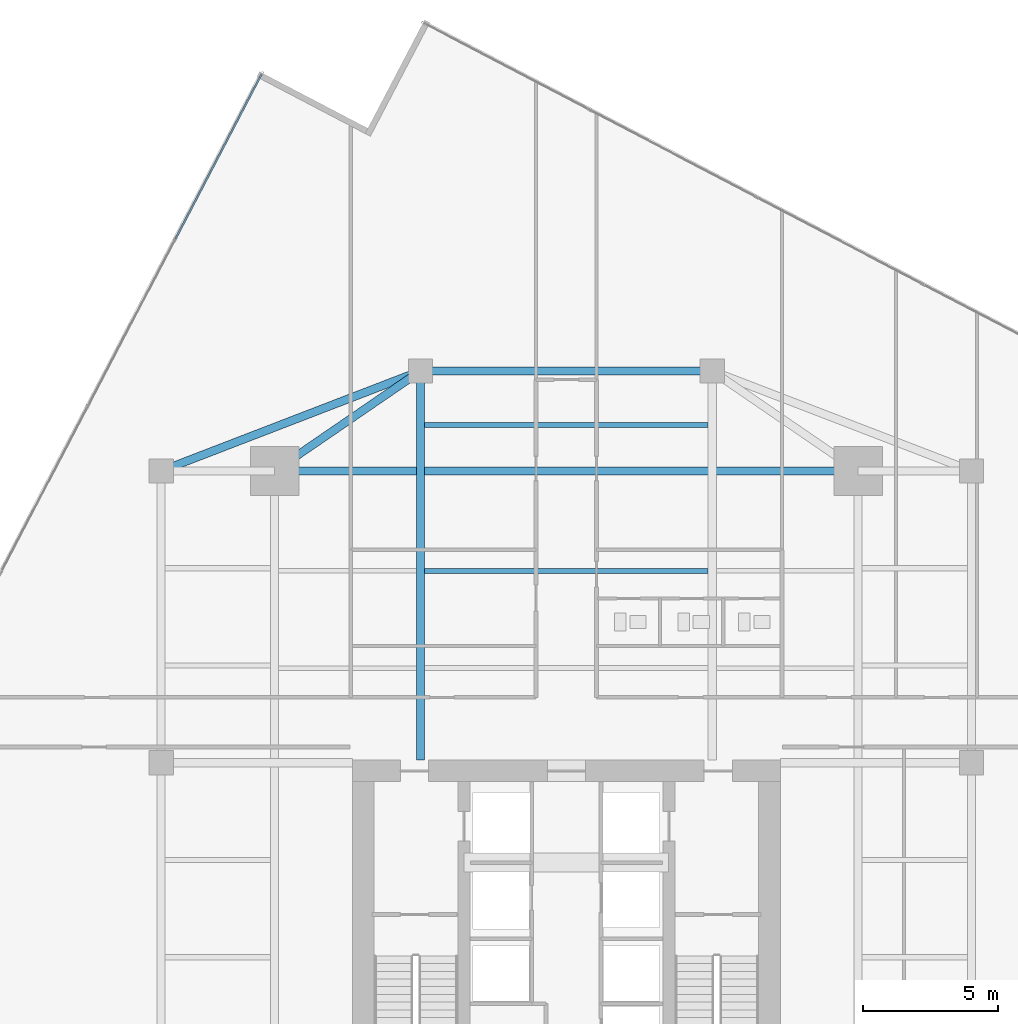
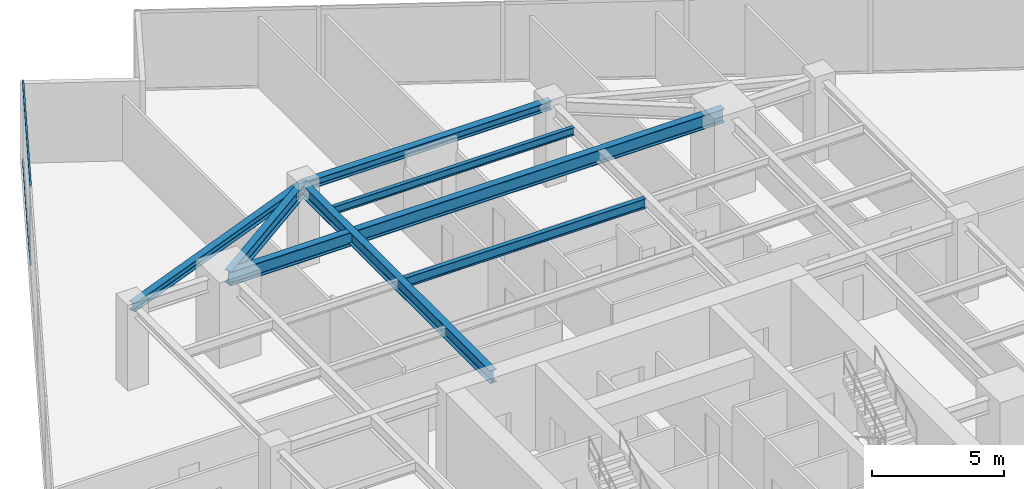
# One storey, part 15 of 27: 7 beams, 2 members, 1 element without a shape of its own.
"""IFC4 building model written with IfcOpenShell, lengths in metres."""

import ifcopenshell
import ifcopenshell.guid

model = None  # the IFC model being written
_history = None  # IfcOwnerHistory: only IFC2X3 demands one
_inside = {}  # id of a spatial element -> (the spatial element, [elements in it])
_under = {}  # id of a project, library or spatial element -> (it, [spatial elements below it])
_declared = {}  # id of a project -> (the project, [libraries it declares])
_typed = {}  # id of a type object -> (the type object, [elements of that type])
_made_of = {}  # id of a material, layer set ... -> (it, [elements and type objects made of it])


def new_model(schema):
    """Start an empty IFC model of exactly this schema.

    Asked for "IFC4X3", IfcOpenShell would pick the latest addendum, in which some entities
    have other attributes; the version numbers below select the first issue.
    IFC2X3 requires an IfcOwnerHistory on every rooted entity: one is made here for all.
    """
    global model, _history
    if schema == "IFC4X3":
        model = ifcopenshell.file(schema_version=(4, 3, 0, 0))
    else:
        model = ifcopenshell.file(schema=schema)
    _inside.clear()
    _under.clear()
    _declared.clear()
    _typed.clear()
    _made_of.clear()
    _history = None
    if model.schema == "IFC2X3":
        org = make("IfcOrganization", Name="unknown")
        user = make(
            "IfcPersonAndOrganization",
            ThePerson=make("IfcPerson", FamilyName="unknown"),
            TheOrganization=org,
        )
        app = make(
            "IfcApplication",
            ApplicationDeveloper=org,
            Version="unknown",
            ApplicationFullName="unknown",
            ApplicationIdentifier="unknown",
        )
        _history = make(
            "IfcOwnerHistory",
            OwningUser=user,
            OwningApplication=app,
            ChangeAction="ADDED",
            CreationDate=0,
        )
    return model


def make(cls, **values):
    """One entity of the class cls with the attributes given. An attribute that is None is left unset."""
    return model.create_entity(
        cls, **{name: value for name, value in values.items() if value is not None}
    )


def rooted(cls, **values):
    """An entity with a GlobalId (a new one), such as an element, a storey or a relation."""
    return make(cls, GlobalId=ifcopenshell.guid.new(), OwnerHistory=_history, **values)


def si_unit(unit_type, name, prefix=None):
    """IfcSIUnit, for example si_unit("LENGTHUNIT", "METRE", prefix="MILLI")."""
    return make("IfcSIUnit", UnitType=unit_type, Prefix=prefix, Name=name)


def assignment(units):
    """IfcUnitAssignment: the units of a project."""
    return None if units is None else make("IfcUnitAssignment", Units=units)


def point(xyz):
    """IfcCartesianPoint."""
    return None if xyz is None else make("IfcCartesianPoint", Coordinates=xyz)


def direction(xyz):
    """IfcDirection."""
    return None if xyz is None else make("IfcDirection", DirectionRatios=xyz)


def frame(location, z_axis=None, x_axis=None):
    """IfcAxis2Placement3D, a coordinate frame: its origin and axes. An axis left out is left unset."""
    return make(
        "IfcAxis2Placement3D",
        Location=point(location),
        Axis=direction(z_axis),
        RefDirection=direction(x_axis),
    )


def frame_2d(location, x_axis=None):
    """IfcAxis2Placement2D, a coordinate frame in the plane: its origin and x axis."""
    return make(
        "IfcAxis2Placement2D", Location=point(location), RefDirection=direction(x_axis)
    )


def origin():
    """The frame at (0, 0, 0) with its axes left unset."""
    return frame((0.0, 0.0, 0.0))


def origin_2d():
    """The frame at (0, 0) in the plane with its x axis left unset."""
    return frame_2d((0.0, 0.0))


def place(relative_to, where):
    """IfcLocalPlacement: puts the frame where relative to a parent placement (None: the world)."""
    return make(
        "IfcLocalPlacement", PlacementRelTo=relative_to, RelativePlacement=where
    )


def context(
    kind, dimensions, precision=None, world=None, true_north=None, identifier=None
):
    """IfcGeometricRepresentationContext, for example the 3D "Model" context."""
    return make(
        "IfcGeometricRepresentationContext",
        ContextIdentifier=identifier,
        ContextType=kind,
        CoordinateSpaceDimension=dimensions,
        Precision=precision,
        WorldCoordinateSystem=world,
        TrueNorth=true_north,
    )


def subcontext(parent, identifier, kind, view, scale=None):
    """IfcGeometricRepresentationSubContext, for example "Body" below "Model"."""
    return make(
        "IfcGeometricRepresentationSubContext",
        ContextIdentifier=identifier,
        ContextType=kind,
        ParentContext=parent,
        TargetScale=scale,
        TargetView=view,
    )


def project(units=None, contexts=None):
    """IfcProject with its units and contexts."""
    return rooted(
        "IfcProject",
        Name="project",
        RepresentationContexts=contexts,
        UnitsInContext=assignment(units),
    )


def spatial(cls, under=None, at=None, **own):
    """A site, building, storey or space (cls), placed at a placement, below another one or the project."""
    s = rooted(cls, ObjectPlacement=at, **own)
    if under is not None:
        _under.setdefault(under.id(), (under, []))[1].append(s)
    return s


def profile(cls, at=None, kind="AREA", **sizes):
    """A parametric profile (cls). Its sizes go by their IFC names, for example OverallWidth=200.0."""
    return make(cls, ProfileType=kind, Position=at, **sizes)


def hollow_rectangle(**sizes):
    """IfcRectangleHollowProfileDef."""
    return profile("IfcRectangleHollowProfileDef", **sizes)


def i_section(**sizes):
    """IfcIShapeProfileDef."""
    return profile("IfcIShapeProfileDef", **sizes)


def extrude(swept, where, along, depth):
    """IfcExtrudedAreaSolid: the profile swept, set in the frame where, extruded along a direction by depth."""
    return make(
        "IfcExtrudedAreaSolid",
        SweptArea=swept,
        Position=where,
        ExtrudedDirection=direction(along),
        Depth=depth,
    )


def shape(context_of_items, identifier, shape_type, items):
    """IfcShapeRepresentation: the items that make up one representation, for example the "Body"."""
    return make(
        "IfcShapeRepresentation",
        ContextOfItems=context_of_items,
        RepresentationIdentifier=identifier,
        RepresentationType=shape_type,
        Items=items,
    )


def source(mapping_origin, context_of_items, identifier, shape_type, items):
    """IfcRepresentationMap: a shape defined once, which mapped items show again and again."""
    return make(
        "IfcRepresentationMap",
        MappingOrigin=mapping_origin,
        MappedRepresentation=shape(context_of_items, identifier, shape_type, items),
    )


def transform(
    local_origin,
    x_axis=None,
    y_axis=None,
    z_axis=None,
    scale=None,
    scale2=None,
    scale3=None,
    uniform=True,
):
    """IfcCartesianTransformationOperator3D, or its non-uniform kind. x_axis, y_axis, z_axis: its Axis1, 2, 3."""
    if uniform:
        return make(
            "IfcCartesianTransformationOperator3D",
            Axis1=direction(x_axis),
            Axis2=direction(y_axis),
            LocalOrigin=point(local_origin),
            Scale=scale,
            Axis3=direction(z_axis),
        )
    return make(
        "IfcCartesianTransformationOperator3DnonUniform",
        Axis1=direction(x_axis),
        Axis2=direction(y_axis),
        LocalOrigin=point(local_origin),
        Scale=scale,
        Axis3=direction(z_axis),
        Scale2=scale2,
        Scale3=scale3,
    )


def mapped(mapping_source, mapping_target):
    """IfcMappedItem: shows the shape of a source again, moved by a transform."""
    return make(
        "IfcMappedItem", MappingSource=mapping_source, MappingTarget=mapping_target
    )


def material(Name=None, Category=None):
    """IfcMaterial."""
    return make("IfcMaterial", Name=Name, Category=Category)


def material_profile(
    of_material, cross_section, Name=None, Category=None, Priority=None
):
    """IfcMaterialProfile: a cross section and its material."""
    return make(
        "IfcMaterialProfile",
        Name=Name,
        Material=of_material,
        Profile=cross_section,
        Priority=Priority,
        Category=Category,
    )


def profile_set(profiles, Name=None, composite=None):
    """IfcMaterialProfileSet."""
    return make(
        "IfcMaterialProfileSet",
        Name=Name,
        MaterialProfiles=profiles,
        CompositeProfile=composite,
    )


def made_of(thing, what):
    """Note that an element or type object is made of a material, layer set ...; save() writes the relation."""
    if what is not None:
        _made_of.setdefault(what.id(), (what, []))[1].append(thing)
    return thing


def type_object(cls, material=None, **own):
    """A type object (cls), such as IfcWallType, which elements share."""
    return made_of(rooted(cls, **own), material)


def type_shapes(of_type, sources):
    """Give a type object the sources (RepresentationMaps) that its elements show as mapped items."""
    of_type.RepresentationMaps = sources


def element(
    cls,
    number,
    at=None,
    inside=None,
    cuts=None,
    type_object=None,
    material=None,
    context=None,
    identifier="Body",
    shape_type=None,
    held_by="IfcProductDefinitionShape",
    body=None,
    shapes=None,
    **own,
):
    """One element of the class cls, such as IfcWall. Its Tag is "e" and its number.

    at: its placement. inside: the storey or other place that contains it. cuts: it is an
    opening in that element (IfcRelVoidsElement). A single representation is given by context,
    identifier, shape_type and body (its items); several are given by shapes. held_by: the class
    of the entity that holds the representations. save() writes the other relations.
    """
    e = rooted(cls, Tag="e%d" % number, ObjectPlacement=at, **own)
    if body is not None:
        shapes = [shape(context, identifier, shape_type, body)]
    if shapes is not None:
        e.Representation = make(held_by, Representations=shapes)
    if inside is not None:
        _inside.setdefault(inside.id(), (inside, []))[1].append(e)
    if cuts is not None:
        rooted(
            "IfcRelVoidsElement", RelatingBuildingElement=cuts, RelatedOpeningElement=e
        )
    if type_object is not None:
        _typed.setdefault(type_object.id(), (type_object, []))[1].append(e)
    return made_of(e, material)


def aggregate(whole, parts):
    """IfcRelAggregates: a whole, such as a stair, and the parts it consists of."""
    return rooted("IfcRelAggregates", RelatingObject=whole, RelatedObjects=parts)


def save(model, path):
    """Write the relations noted so far, then the file.

    IfcRelAggregates (storeys below a building ...), IfcRelContainedInSpatialStructure (elements
    in a storey), IfcRelDefinesByType, IfcRelAssociatesMaterial and IfcRelDeclares: one each for
    every whole, place, type object, material and project.
    """
    for whole, parts in _under.values():
        aggregate(whole, parts)
    for where, things in _inside.values():
        rooted(
            "IfcRelContainedInSpatialStructure",
            RelatedElements=things,
            RelatingStructure=where,
        )
    for kind, things in _typed.values():
        rooted("IfcRelDefinesByType", RelatedObjects=things, RelatingType=kind)
    for what, things in _made_of.values():
        rooted("IfcRelAssociatesMaterial", RelatedObjects=things, RelatingMaterial=what)
    for by, libraries in _declared.values():
        rooted("IfcRelDeclares", RelatingContext=by, RelatedDefinitions=libraries)
    model.write(path)


model = new_model("IFC4")

# Units and contexts
model_context = context("Model", 3, precision=1e-05, world=origin(), true_north=direction((0.0, 1.0)))
body_context = subcontext(model_context, "Body", "Model", "MODEL_VIEW")
ifc_project = project(units=[si_unit("LENGTHUNIT", "METRE"), si_unit("AREAUNIT", "SQUARE_METRE"), si_unit("VOLUMEUNIT", "CUBIC_METRE"), si_unit("PLANEANGLEUNIT", "RADIAN"), si_unit("MASSUNIT", "GRAM", prefix="KILO")], contexts=[model_context])

# Site, building, storey
site_placement = place(None, origin())
site = spatial("IfcSite", under=ifc_project, at=site_placement, CompositionType="ELEMENT")
building_placement = place(site_placement, origin())
building = spatial("IfcBuilding", under=site, at=building_placement, Name="Krantzveldt Concourse Tower", CompositionType="ELEMENT")
storey_placement = place(building_placement, frame((0.0, 0.0, 154.10009765625)))
storey = spatial("IfcBuildingStorey", under=building, at=storey_placement, Name="L37", CompositionType="ELEMENT", Elevation=154.10009765625)

# Beams
ifc_material_1 = material(Name="Steel S355JR", Category="steel")
ifc_material_profile_1 = material_profile(ifc_material_1, i_section(OverallWidth=0.300048828125, OverallDepth=0.639892578125, WebThickness=0.013427734375, FlangeThickness=0.02587890625, FilletRadius=0.027099609375, at=origin_2d()), Name="Steel S355JR", Category="steel")
ifc_profile_set_1 = profile_set([ifc_material_profile_1], Name="Steel S355JR - HEA 650")
beam_type_1 = type_object("IfcBeamType", Name="BM-B-HEA650", PredefinedType="BEAM", material=ifc_profile_set_1)
shared_shape_1 = source(origin(), body_context, "Body", "SweptSolid", [
    extrude(i_section(OverallWidth=0.300048828125, OverallDepth=0.639892578125, WebThickness=0.013427734375, FlangeThickness=0.02587890625, FilletRadius=0.027099609375, at=origin_2d()), origin(), (0.0, 0.0, 1.0), 21.60009765625),
])
type_shapes(beam_type_1, [shared_shape_1])
beam_1_placement = place(storey_placement, frame((25.199951171875, 37.5, 3.349853515625), z_axis=(1.0, 0.0, 0.0), x_axis=(0.0, 1.0, 0.0)))
element("IfcBeam", 1, at=beam_1_placement, inside=storey, type_object=beam_type_1, Name="L37 Tower Girder BG-MN", PredefinedType="BEAM", context=body_context, shape_type="MappedRepresentation", body=[
    mapped(shared_shape_1, transform((0.0, 0.0, 0.0), x_axis=(1.0, 0.0, 0.0), y_axis=(0.0, 1.0, 0.0), z_axis=(0.0, 0.0, 1.0), scale=1.0)),
])
ifc_material_profile_2 = material_profile(ifc_material_1, i_section(OverallWidth=0.300048828125, OverallDepth=0.590087890625, WebThickness=0.012939453125, FlangeThickness=0.02490234375, FilletRadius=0.027099609375, at=origin_2d()), Name="Steel S355JR", Category="steel")
ifc_profile_set_2 = profile_set([ifc_material_profile_2], Name="Steel S355JR - HEA 600")
beam_type_2 = type_object("IfcBeamType", Name="BM-B-HEA600", PredefinedType="BEAM", material=ifc_profile_set_2)
shared_shape_2 = source(origin(), body_context, "Body", "SweptSolid", [
    extrude(i_section(OverallWidth=0.300048828125, OverallDepth=0.590087890625, WebThickness=0.012939453125, FlangeThickness=0.02490234375, FilletRadius=0.027099609375, at=origin_2d()), origin(), (0.0, 0.0, 1.0), 14.39990234375),
])
beam_2_placement = place(storey_placement, frame((30.60009765625, 26.800048828125, 3.375), z_axis=(0.0, 1.0, 0.0), x_axis=(-1.0, 0.0, 0.0)))
element("IfcBeam", 2, at=beam_2_placement, inside=storey, type_object=beam_type_2, Name="L37 Tower Girder BG-CNW", PredefinedType="BEAM", context=body_context, shape_type="MappedRepresentation", body=[
    mapped(shared_shape_2, transform((0.0, 0.0, 0.0), x_axis=(1.0, 0.0, 0.0), y_axis=(0.0, 1.0, 0.0), z_axis=(0.0, 0.0, 1.0), scale=1.0)),
])
shared_shape_3 = source(origin(), body_context, "Body", "SweptSolid", [
    extrude(i_section(OverallWidth=0.300048828125, OverallDepth=0.590087890625, WebThickness=0.012939453125, FlangeThickness=0.02490234375, FilletRadius=0.027099609375, at=origin_2d()), origin(), (0.0, 0.0, 1.0), 6.546142578125),
])
type_shapes(beam_type_2, [shared_shape_2, shared_shape_3])
beam_3_placement = place(storey_placement, frame((25.199951171875, 37.5, 3.375), z_axis=(0.824942999484, 0.565215930068, 0.0), x_axis=(-0.565215930068, 0.824942999484, 0.0)))
element("IfcBeam", 3, at=beam_3_placement, inside=storey, type_object=beam_type_2, Name="L37 Tower Girder BR-RL4", PredefinedType="BEAM", context=body_context, shape_type="MappedRepresentation", body=[
    mapped(shared_shape_3, transform((0.0, 0.0, 0.0), x_axis=(1.0, 0.0, 0.0), y_axis=(0.0, 1.0, 0.0), z_axis=(0.0, 0.0, 1.0), scale=1.0)),
])
ifc_material_profile_3 = material_profile(ifc_material_1, i_section(OverallWidth=0.18994140625, OverallDepth=0.449951171875, WebThickness=0.009521484375, FlangeThickness=0.0146484375, FilletRadius=0.02099609375, at=origin_2d()), Name="Steel S355JR", Category="steel")
ifc_profile_set_3 = profile_set([ifc_material_profile_3], Name="Steel S355JR - IPE 450")
beam_type_3 = type_object("IfcBeamType", Name="BM-J-IPE450", PredefinedType="JOIST", material=ifc_profile_set_3)
shared_shape_4 = source(origin(), body_context, "Body", "SweptSolid", [
    extrude(i_section(OverallWidth=0.18994140625, OverallDepth=0.449951171875, WebThickness=0.009521484375, FlangeThickness=0.0146484375, FilletRadius=0.02099609375, at=origin_2d()), origin(), (0.0, 0.0, 1.0), 10.5),
])
type_shapes(beam_type_3, [shared_shape_4])
beam_4_placement = place(storey_placement, frame((30.75, 33.800048828125, 3.44482421875), z_axis=(1.0, 0.0, 0.0), x_axis=(0.0, 1.0, 0.0)))
element("IfcBeam", 4, at=beam_4_placement, inside=storey, type_object=beam_type_3, Name="L37 Secondary Floor Joist JN-C2", PredefinedType="JOIST", context=body_context, shape_type="MappedRepresentation", body=[
    mapped(shared_shape_4, transform((0.0, 0.0, 0.0), x_axis=(1.0, 0.0, 0.0), y_axis=(0.0, 1.0, 0.0), z_axis=(0.0, 0.0, 1.0), scale=1.0)),
])
ifc_material_profile_4 = material_profile(ifc_material_1, i_section(OverallWidth=0.300048828125, OverallDepth=0.389892578125, WebThickness=0.010986328125, FlangeThickness=0.01904296875, FilletRadius=0.027099609375, at=origin_2d()), Name="Steel S355JR", Category="steel")
ifc_profile_set_4 = profile_set([ifc_material_profile_4], Name="Steel S355JR - HEA 400")
beam_type_4 = type_object("IfcBeamType", Name="BM-SP-HEA400", PredefinedType="SPANDREL", material=ifc_profile_set_4)
shared_shape_5 = source(origin(), body_context, "Body", "SweptSolid", [
    extrude(i_section(OverallWidth=0.300048828125, OverallDepth=0.389892578125, WebThickness=0.010986328125, FlangeThickness=0.01904296875, FilletRadius=0.027099609375, at=origin_2d()), origin(), (0.0, 0.0, 1.0), 10.288330078125),
])
beam_5_placement = place(storey_placement, frame((21.0, 37.5, 3.474853515625), z_axis=(0.933097690408, 0.359622997257, 0.0), x_axis=(-0.359622997257, 0.933097690408, 0.0)))
element("IfcBeam", 5, at=beam_5_placement, inside=storey, type_object=beam_type_4, Name="L37 Tower Girder SP-R03", PredefinedType="SPANDREL", context=body_context, shape_type="MappedRepresentation", body=[
    mapped(shared_shape_5, transform((0.0, 0.0, 0.0), x_axis=(1.0, 0.0, 0.0), y_axis=(0.0, 1.0, 0.0), z_axis=(0.0, 0.0, 1.0), scale=1.0)),
])
shared_shape_6 = source(origin(), body_context, "Body", "SweptSolid", [
    extrude(i_section(OverallWidth=0.300048828125, OverallDepth=0.389892578125, WebThickness=0.010986328125, FlangeThickness=0.01904296875, FilletRadius=0.027099609375, at=origin_2d()), origin(), (0.0, 0.0, 1.0), 10.7998046875),
])
type_shapes(beam_type_4, [shared_shape_5, shared_shape_6])
beam_6_placement = place(storey_placement, frame((30.60009765625, 41.199951171875, 3.474853515625), z_axis=(1.0, 0.0, 0.0), x_axis=(0.0, 1.0, 0.0)))
element("IfcBeam", 6, at=beam_6_placement, inside=storey, type_object=beam_type_4, Name="L37 Tower Girder SP-R04", PredefinedType="SPANDREL", context=body_context, shape_type="MappedRepresentation", body=[
    mapped(shared_shape_6, transform((0.0, 0.0, 0.0), x_axis=(1.0, 0.0, 0.0), y_axis=(0.0, 1.0, 0.0), z_axis=(0.0, 0.0, 1.0), scale=1.0)),
])
ifc_material_profile_5 = material_profile(ifc_material_1, i_section(OverallWidth=0.169921875, OverallDepth=0.360107421875, WebThickness=0.008056640625, FlangeThickness=0.0126953125, FilletRadius=0.01806640625, at=origin_2d()), Name="Steel S355JR", Category="steel")
ifc_profile_set_5 = profile_set([ifc_material_profile_5], Name="Steel S355JR - IPE 360")
beam_type_5 = type_object("IfcBeamType", Name="BM-J-IPE360", PredefinedType="JOIST", material=ifc_profile_set_5)
shared_shape_7 = source(origin(), body_context, "Body", "SweptSolid", [
    extrude(i_section(OverallWidth=0.169921875, OverallDepth=0.360107421875, WebThickness=0.008056640625, FlangeThickness=0.0126953125, FilletRadius=0.01806640625, at=origin_2d()), origin(), (0.0, 0.0, 1.0), 10.5),
])
type_shapes(beam_type_5, [shared_shape_7])
beam_7_placement = place(storey_placement, frame((30.75, 39.199951171875, 3.489990234375), z_axis=(1.0, 0.0, 0.0), x_axis=(0.0, 1.0, 0.0)))
element("IfcBeam", 7, at=beam_7_placement, inside=storey, type_object=beam_type_5, Name="L37 Secondary Floor Joist JN-C3", PredefinedType="JOIST", context=body_context, shape_type="MappedRepresentation", body=[
    mapped(shared_shape_7, transform((0.0, 0.0, 0.0), x_axis=(1.0, 0.0, 0.0), y_axis=(0.0, 1.0, 0.0), z_axis=(0.0, 0.0, 1.0), scale=1.0)),
])

# Curtain wall, members
ifc_material_2 = material(Name="Anodised aluminium 6063-T6", Category="aluminium")
curtain_wall_type = type_object("IfcCurtainWallType", Name="CW3", PredefinedType="USERDEFINED", material=ifc_material_2)
curtain_wall_placement = place(storey_placement, origin())
curtain_wall = element("IfcCurtainWall", 8, at=curtain_wall_placement, inside=storey, type_object=curtain_wall_type, Name="CW-L37-F01", ObjectType="UNITISED CURTAIN WALL", PredefinedType="USERDEFINED")
ifc_material_profile_6 = material_profile(ifc_material_2, hollow_rectangle(XDim=0.070068359375, YDim=0.139892578125, WallThickness=0.0048828125, at=origin_2d()), Name="Anodised aluminium 6063-T6", Category="aluminium")
ifc_profile_set_6 = profile_set([ifc_material_profile_6], Name="Anodised aluminium 6063-T6 - ALU-TRAN 140x70x5")
member_type = type_object("IfcMemberType", Name="CW-TRN-150", PredefinedType="USERDEFINED", material=ifc_profile_set_6)
shared_shape_8 = source(origin(), body_context, "Body", "SweptSolid", [
    extrude(hollow_rectangle(XDim=0.070068359375, YDim=0.139892578125, WallThickness=0.0048828125, at=origin_2d()), origin(), (0.0, 0.0, 1.0), 6.85498046875),
])
type_shapes(member_type, [shared_shape_8])
member_1_placement = place(storey_placement, frame((24.7119140625, 52.167236328125, 0.034912109375), z_axis=(-0.463676917957, -0.886004354252, 0.0), x_axis=(0.886004354252, -0.463676917957, 0.0)))
member_1 = element("IfcMember", 9, at=member_1_placement, type_object=member_type, Name="CW-Z34 transom 1.1", ObjectType="TRANSOM", PredefinedType="USERDEFINED", context=body_context, shape_type="MappedRepresentation", body=[
    mapped(shared_shape_8, transform((0.0, 0.0, 0.0), x_axis=(1.0, 0.0, 0.0), y_axis=(0.0, 1.0, 0.0), z_axis=(0.0, 0.0, 1.0), scale=1.0)),
])
member_2_placement = place(storey_placement, frame((24.7119140625, 52.167236328125, 3.635009765625), z_axis=(-0.463676917957, -0.886004354252, 0.0), x_axis=(0.886004354252, -0.463676917957, 0.0)))
member_2 = element("IfcMember", 10, at=member_2_placement, type_object=member_type, Name="CW-Z34 transom 1.2", ObjectType="TRANSOM", PredefinedType="USERDEFINED", context=body_context, shape_type="MappedRepresentation", body=[
    mapped(shared_shape_8, transform((0.0, 0.0, 0.0), x_axis=(1.0, 0.0, 0.0), y_axis=(0.0, 1.0, 0.0), z_axis=(0.0, 0.0, 1.0), scale=1.0)),
])
aggregate(curtain_wall, [member_1, member_2])

save(model, "model.ifc")
